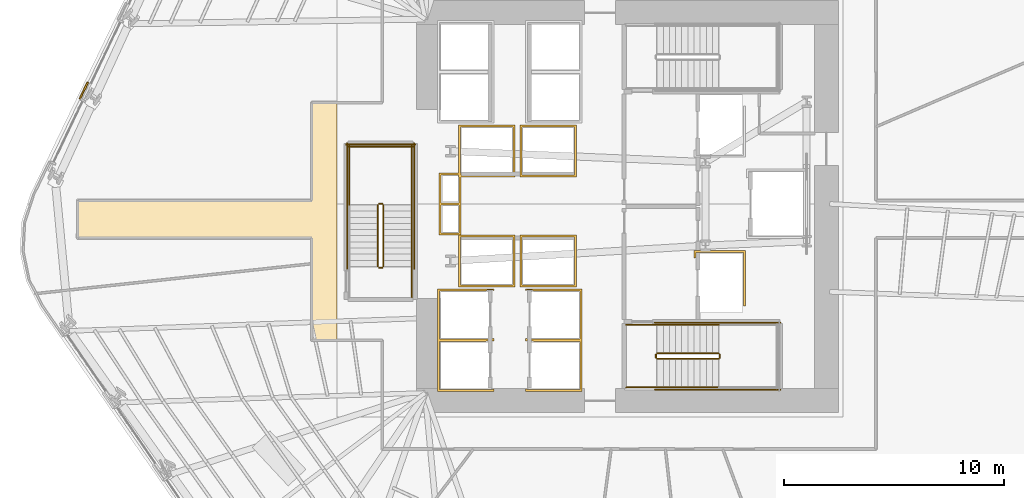
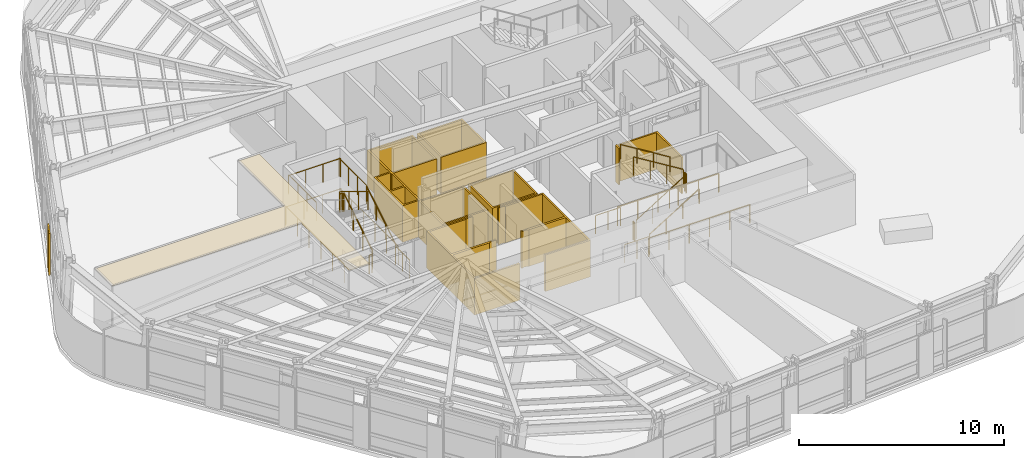
# One storey, part 11 of 15: 22 railings, 9 coverings.
"""IFC4 building model written with IfcOpenShell, lengths in metres."""

from ifc_helpers import new_model, si_unit, direction, frame, origin, origin_2d, place, context, subcontext, project, spatial, polyline, circle, outline, extrude, material, layer, layer_set, type_object, element, save


model = new_model("IFC4")

# Units and contexts
model_context = context("Model", 3, precision=1e-05, world=origin(), true_north=direction((0.0, 1.0)))
body_context = subcontext(model_context, "Body", "Model", "MODEL_VIEW")
ifc_project = project(units=[si_unit("LENGTHUNIT", "METRE"), si_unit("AREAUNIT", "SQUARE_METRE"), si_unit("VOLUMEUNIT", "CUBIC_METRE"), si_unit("PLANEANGLEUNIT", "RADIAN"), si_unit("MASSUNIT", "GRAM", prefix="KILO")], contexts=[model_context])

# Site, building, storey
site_placement = place(None, origin())
site = spatial("IfcSite", under=ifc_project, at=site_placement, CompositionType="ELEMENT")
building_placement = place(site_placement, origin())
building = spatial("IfcBuilding", under=site, at=building_placement, Name="Valkerne Bourse Tower", CompositionType="ELEMENT")
storey_placement = place(building_placement, frame((0.0, 0.0, 43.0)))
storey = spatial("IfcBuildingStorey", under=building, at=storey_placement, Name="L10", CompositionType="ELEMENT", Elevation=43.0)

# Coverings
ifc_material_1 = material(Name="Bronze Anodised Aluminium AA 6063-T6", Category="aluminium")
ifc_layer_1 = layer(ifc_material_1, 0.030029296875)
ifc_layer_set_1 = layer_set([ifc_layer_1], Name="Bronze Anodised Aluminium AA 6063-T6")
covering_type_1 = type_object("IfcCoveringType", Name="COV-CEIL-METAL", PredefinedType="CEILING", material=ifc_layer_set_1)
covering_1_placement = place(storey_placement, frame((0.0, 0.0, 3.22998046875)))
element("IfcCovering", 1, at=covering_1_placement, inside=storey, type_object=covering_type_1, Name="L10 Suspended Ceiling 02", PredefinedType="CEILING", context=body_context, shape_type="SweptSolid", body=[
    extrude(outline(polyline([(32.4541015625, 20.803955078125), (32.4541015625, 25.4541015625), (21.803955078125, 25.4541015625), (21.803955078125, 27.14599609375), (32.4541015625, 27.14599609375), (32.4541015625, 31.595947265625), (33.60009765625, 31.595947265625), (33.60009765625, 20.803955078125), (32.4541015625, 20.803955078125)])), origin(), (0.0, 0.0, 1.0), 0.02490234375),
])
ifc_layer_2 = layer(ifc_material_1, 0.06005859375)
ifc_layer_set_2 = layer_set([ifc_layer_2], Name="Bronze Anodised Aluminium AA 6063-T6")
covering_type_2 = type_object("IfcCoveringType", Name="COV-CRN-ALUM", PredefinedType="CLADDING", material=ifc_layer_set_2)
covering_2_placement = place(storey_placement, origin())
element("IfcCovering", 2, at=covering_2_placement, inside=storey, type_object=covering_type_2, Name="L10 Wind-Shaped Corner Aluminium Cladding 12", PredefinedType="CLADDING", context=body_context, shape_type="SweptSolid", body=[
    extrude(outline(polyline([(22.223388671875, 32.546875), (22.29541015625, 32.512451171875), (21.930419921875, 31.755859375), (21.858154296875, 31.790283203125), (22.223388671875, 32.546875)])), origin(), (0.0, 0.0, 1.0), 2.5),
])
ifc_material_2 = material(Name="Gypsum Shaftwall Liner Board", Category="gypsum")
ifc_layer_3 = layer(ifc_material_2, 0.080078125)
ifc_layer_set_3 = layer_set([ifc_layer_3], Name="Gypsum Shaftwall Liner Board")
covering_type_3 = type_object("IfcCoveringType", Name="COV-SHF-CLAD", PredefinedType="CLADDING", material=ifc_layer_set_3)
covering_3_placement = place(storey_placement, origin())
element("IfcCovering", 3, at=covering_3_placement, inside=storey, type_object=covering_type_3, Name="L10 Hoistway & Riser Shaftwall Liner 01", PredefinedType="CLADDING", context=body_context, shape_type="SweptSolid", body=[
    extrude(outline(polyline([(38.169921875, 23.1298828125), (40.72998046875, 23.1298828125), (40.72998046875, 23.052001953125), (40.72216796875, 23.0556640625), (40.6806640625, 23.070556640625), (40.6376953125, 23.081298828125), (40.593994140625, 23.087890625), (40.550048828125, 23.090087890625), (40.505859375, 23.087890625), (40.462158203125, 23.081298828125), (40.41943359375, 23.070556640625), (40.377685546875, 23.0556640625), (40.344482421875, 23.0400390625), (38.260009765625, 23.0400390625), (38.260009765625, 20.860107421875), (40.456787109375, 20.860107421875), (40.462158203125, 20.858642578125), (40.505859375, 20.852294921875), (40.550048828125, 20.85009765625), (40.593994140625, 20.852294921875), (40.6376953125, 20.858642578125), (40.6806640625, 20.869384765625), (40.72216796875, 20.88427734375), (40.72998046875, 20.887939453125), (40.72998046875, 20.830078125), (40.72998046875, 20.77001953125), (40.72998046875, 20.752197265625), (40.72216796875, 20.755615234375), (40.6806640625, 20.7705078125), (40.6376953125, 20.781494140625), (40.593994140625, 20.787841796875), (40.550048828125, 20.7900390625), (40.505859375, 20.787841796875), (40.462158203125, 20.781494140625), (40.41943359375, 20.7705078125), (40.377685546875, 20.755615234375), (40.344482421875, 20.739990234375), (38.260009765625, 20.739990234375), (38.260009765625, 18.56005859375), (40.456787109375, 18.56005859375), (40.462158203125, 18.55859375), (40.505859375, 18.55224609375), (40.550048828125, 18.550048828125), (40.593994140625, 18.55224609375), (40.6376953125, 18.55859375), (40.6806640625, 18.5693359375), (40.72216796875, 18.584228515625), (40.72998046875, 18.587890625), (40.72998046875, 18.469970703125), (38.169921875, 18.469970703125), (38.169921875, 20.77001953125), (38.169921875, 20.830078125), (38.169921875, 23.1298828125)])), origin(), (0.0, 0.0, 1.0), 2.179931640625),
])
covering_4_placement = place(storey_placement, origin())
element("IfcCovering", 4, at=covering_4_placement, inside=storey, type_object=covering_type_3, Name="L10 Hoistway & Riser Shaftwall Liner 02", PredefinedType="CLADDING", context=body_context, shape_type="SweptSolid", body=[
    extrude(outline(polyline([(41.679931640625, 23.219970703125), (39.1201171875, 23.219970703125), (39.1201171875, 25.580078125), (41.679931640625, 25.580078125), (41.679931640625, 23.219970703125)]), holes=[polyline([(39.2099609375, 25.489990234375), (39.2099609375, 23.31005859375), (41.590087890625, 23.31005859375), (41.590087890625, 25.489990234375), (39.2099609375, 25.489990234375)])]), origin(), (0.0, 0.0, 1.0), 2.179931640625),
])
covering_5_placement = place(storey_placement, origin())
element("IfcCovering", 5, at=covering_5_placement, inside=storey, type_object=covering_type_3, Name="L10 Hoistway & Riser Shaftwall Liner 03", PredefinedType="CLADDING", context=body_context, shape_type="SweptSolid", body=[
    extrude(outline(polyline([(44.47998046875, 23.219970703125), (41.919921875, 23.219970703125), (41.919921875, 25.580078125), (44.47998046875, 25.580078125), (44.47998046875, 23.219970703125)]), holes=[polyline([(42.010009765625, 25.489990234375), (42.010009765625, 23.31005859375), (44.389892578125, 23.31005859375), (44.389892578125, 25.489990234375), (42.010009765625, 25.489990234375)])]), origin(), (0.0, 0.0, 1.0), 2.179931640625),
])
covering_6_placement = place(storey_placement, origin())
element("IfcCovering", 6, at=covering_6_placement, inside=storey, type_object=covering_type_3, Name="L10 Hoistway & Riser Shaftwall Liner 04", PredefinedType="CLADDING", context=body_context, shape_type="SweptSolid", body=[
    extrude(outline(polyline([(38.239990234375, 28.409912109375), (39.1201171875, 28.409912109375), (39.1201171875, 30.580078125), (41.679931640625, 30.580078125), (41.679931640625, 28.219970703125), (39.239990234375, 28.219970703125), (39.239990234375, 27.0400390625), (39.239990234375, 26.9599609375), (39.239990234375, 25.590087890625), (38.239990234375, 25.590087890625), (38.239990234375, 26.9599609375), (38.239990234375, 27.0400390625), (38.239990234375, 28.409912109375)]), holes=[polyline([(39.2099609375, 30.489990234375), (39.2099609375, 28.409912109375), (39.239990234375, 28.409912109375), (39.239990234375, 28.31005859375), (41.590087890625, 28.31005859375), (41.590087890625, 30.489990234375), (39.2099609375, 30.489990234375)]), polyline([(38.330078125, 26.949951171875), (38.330078125, 25.679931640625), (39.14990234375, 25.679931640625), (39.14990234375, 26.949951171875), (38.330078125, 26.949951171875)]), polyline([(39.1201171875, 28.219970703125), (39.1201171875, 28.320068359375), (38.330078125, 28.320068359375), (38.330078125, 27.050048828125), (39.14990234375, 27.050048828125), (39.14990234375, 28.219970703125), (39.1201171875, 28.219970703125)])]), origin(), (0.0, 0.0, 1.0), 2.179931640625),
])
covering_7_placement = place(storey_placement, origin())
element("IfcCovering", 7, at=covering_7_placement, inside=storey, type_object=covering_type_3, Name="L10 Hoistway & Riser Shaftwall Liner 06", PredefinedType="CLADDING", context=body_context, shape_type="SweptSolid", body=[
    extrude(outline(polyline([(42.169921875, 20.830078125), (42.169921875, 20.887939453125), (42.177734375, 20.88427734375), (42.219482421875, 20.869384765625), (42.26220703125, 20.858642578125), (42.305908203125, 20.852294921875), (42.35009765625, 20.85009765625), (42.39404296875, 20.852294921875), (42.437744140625, 20.858642578125), (42.443115234375, 20.860107421875), (44.639892578125, 20.860107421875), (44.639892578125, 23.0400390625), (42.555419921875, 23.0400390625), (42.522216796875, 23.0556640625), (42.480712890625, 23.070556640625), (42.437744140625, 23.081298828125), (42.39404296875, 23.087890625), (42.35009765625, 23.090087890625), (42.305908203125, 23.087890625), (42.26220703125, 23.081298828125), (42.219482421875, 23.070556640625), (42.177734375, 23.0556640625), (42.169921875, 23.052001953125), (42.169921875, 23.1298828125), (44.72998046875, 23.1298828125), (44.72998046875, 20.830078125), (44.72998046875, 20.77001953125), (44.72998046875, 18.469970703125), (42.169921875, 18.469970703125), (42.169921875, 18.587890625), (42.177734375, 18.584228515625), (42.219482421875, 18.5693359375), (42.26220703125, 18.55859375), (42.305908203125, 18.55224609375), (42.35009765625, 18.550048828125), (42.39404296875, 18.55224609375), (42.437744140625, 18.55859375), (42.443115234375, 18.56005859375), (44.639892578125, 18.56005859375), (44.639892578125, 20.739990234375), (42.555419921875, 20.739990234375), (42.522216796875, 20.755615234375), (42.480712890625, 20.7705078125), (42.437744140625, 20.781494140625), (42.39404296875, 20.787841796875), (42.35009765625, 20.7900390625), (42.305908203125, 20.787841796875), (42.26220703125, 20.781494140625), (42.219482421875, 20.7705078125), (42.177734375, 20.755615234375), (42.169921875, 20.752197265625), (42.169921875, 20.77001953125), (42.169921875, 20.830078125)])), origin(), (0.0, 0.0, 1.0), 2.179931640625),
])
covering_8_placement = place(storey_placement, origin())
element("IfcCovering", 8, at=covering_8_placement, inside=storey, type_object=covering_type_3, Name="L10 Hoistway & Riser Shaftwall Liner 07", PredefinedType="CLADDING", context=body_context, shape_type="SweptSolid", body=[
    extrude(outline(polyline([(52.179931640625, 22.35009765625), (52.090087890625, 22.35009765625), (52.090087890625, 24.7900390625), (49.909912109375, 24.7900390625), (49.909912109375, 24.560791015625), (49.869384765625, 24.550537109375), (49.827880859375, 24.53564453125), (49.820068359375, 24.531982421875), (49.820068359375, 24.8798828125), (52.179931640625, 24.8798828125), (52.179931640625, 22.35009765625)])), origin(), (0.0, 0.0, 1.0), 2.179931640625),
])
covering_9_placement = place(storey_placement, origin())
element("IfcCovering", 9, at=covering_9_placement, inside=storey, type_object=covering_type_3, Name="L10 Hoistway & Riser Shaftwall Liner 09", PredefinedType="CLADDING", context=body_context, shape_type="SweptSolid", body=[
    extrude(outline(polyline([(44.47998046875, 28.219970703125), (41.919921875, 28.219970703125), (41.919921875, 30.580078125), (44.47998046875, 30.580078125), (44.47998046875, 28.219970703125)]), holes=[polyline([(42.010009765625, 30.489990234375), (42.010009765625, 28.31005859375), (44.389892578125, 28.31005859375), (44.389892578125, 30.489990234375), (42.010009765625, 30.489990234375)])]), origin(), (0.0, 0.0, 1.0), 2.179931640625),
])

# Railings
ifc_material_3 = material(Name="Galvanised Painted Steel", Category="steel")
railing_type_1 = type_object("IfcRailingType", Name="RLG-ST-GUARD-1120", PredefinedType="GUARDRAIL", material=ifc_material_3)
railing_1_placement = place(storey_placement, frame((48.14990234375, 19.949951171875, 0.172607421875)))
element("IfcRailing", 10, at=railing_1_placement, inside=storey, type_object=railing_type_1, Name="L10 ST-1 stair guard 1", PredefinedType="GUARDRAIL", context=body_context, shape_type="SweptSolid", body=[
    extrude(circle(Radius=0.02392578125, at=origin_2d()), frame((0.0, 0.0, 1.09619140625), z_axis=(0.851089632645, 0.0, 0.525020415988), x_axis=(0.0, 1.0, 0.0)), (0.0, 0.0, 1.0), 3.2900390625),
    extrude(circle(Radius=0.02099609375, at=origin_2d()), origin(), (0.0, 0.0, 1.0), 1.072021484375),
    extrude(circle(Radius=0.02099609375, at=origin_2d()), frame((0.933349609375, 0.0, 0.57568359375)), (0.0, 0.0, 1.0), 1.072021484375),
    extrude(circle(Radius=0.02099609375, at=origin_2d()), frame((1.86669921875, 0.0, 1.151611328125)), (0.0, 0.0, 1.0), 1.072021484375),
    extrude(circle(Radius=0.02099609375, at=origin_2d()), frame((2.800048828125, 0.0, 1.727294921875)), (0.0, 0.0, 1.0), 1.072021484375),
])
railing_2_placement = place(storey_placement, frame((51.0, 20.0, 1.89990234375)))
element("IfcRailing", 11, at=railing_2_placement, inside=storey, type_object=railing_type_1, Name="L10 ST-1 stair guard 2", PredefinedType="GUARDRAIL", context=body_context, shape_type="SweptSolid", body=[
    extrude(circle(Radius=0.02392578125, at=origin_2d()), frame((0.0, 0.0, 1.09619140625), z_axis=(0.0, 1.0, 0.0), x_axis=(-1.0, 0.0, 0.0)), (0.0, 0.0, 1.0), 0.14990234375),
    extrude(circle(Radius=0.02099609375, at=origin_2d()), origin(), (0.0, 0.0, 1.0), 1.072021484375),
    extrude(circle(Radius=0.02099609375, at=origin_2d()), frame((0.0, 0.14990234375, 0.0)), (0.0, 0.0, 1.0), 1.072021484375),
])
railing_3_placement = place(storey_placement, frame((50.949951171875, 20.199951171875, 2.07275390625)))
element("IfcRailing", 12, at=railing_3_placement, inside=storey, type_object=railing_type_1, Name="L10 ST-1 stair guard 6", PredefinedType="GUARDRAIL", context=body_context, shape_type="SweptSolid", body=[
    extrude(circle(Radius=0.02392578125, at=origin_2d()), frame((0.0, 0.0, 1.09619140625), z_axis=(-0.851089632645, 0.0, 0.525020415988), x_axis=(0.0, -1.0, 0.0)), (0.0, 0.0, 1.0), 3.2900390625),
    extrude(circle(Radius=0.02099609375, at=origin_2d()), origin(), (0.0, 0.0, 1.0), 1.072021484375),
    extrude(circle(Radius=0.02099609375, at=origin_2d()), frame((-0.933349609375, 0.0, 0.57568359375)), (0.0, 0.0, 1.0), 1.072021484375),
    extrude(circle(Radius=0.02099609375, at=origin_2d()), frame((-1.86669921875, 0.0, 1.151611328125)), (0.0, 0.0, 1.0), 1.072021484375),
    extrude(circle(Radius=0.02099609375, at=origin_2d()), frame((-2.800048828125, 0.0, 1.727294921875)), (0.0, 0.0, 1.0), 1.072021484375),
])
railing_4_placement = place(storey_placement, frame((48.10009765625, 20.0, 0.0)))
element("IfcRailing", 13, at=railing_4_placement, inside=storey, type_object=railing_type_1, Name="L10 ST-1 stair guard 7", PredefinedType="GUARDRAIL", context=body_context, shape_type="SweptSolid", body=[
    extrude(circle(Radius=0.02392578125, at=origin_2d()), frame((0.0, 0.0, 1.09619140625), z_axis=(0.0, 1.0, 0.0), x_axis=(-1.0, 0.0, 0.0)), (0.0, 0.0, 1.0), 0.14990234375),
    extrude(circle(Radius=0.02099609375, at=origin_2d()), origin(), (0.0, 0.0, 1.0), 1.072021484375),
    extrude(circle(Radius=0.02099609375, at=origin_2d()), frame((0.0, 0.14990234375, 0.0)), (0.0, 0.0, 1.0), 1.072021484375),
])
for number, where, name in (
    (14, (46.75, 18.64990234375, 0.0), "L10 ST-1 stair guard 8"),
    (15, (46.75, 21.5, 0.0), "L10 ST-1 stair guard 9"),
):
    element("IfcRailing", number, at=place(storey_placement, frame(where)), inside=storey, type_object=railing_type_1, Name=name, PredefinedType="GUARDRAIL", context=body_context, shape_type="SweptSolid", body=[
        extrude(circle(Radius=0.02392578125, at=origin_2d()), frame((0.0, 0.0, 1.09619140625), z_axis=(1.0, 0.0, 0.0), x_axis=(0.0, 1.0, 0.0)), (0.0, 0.0, 1.0), 1.39990234375),
        extrude(circle(Radius=0.02099609375, at=origin_2d()), origin(), (0.0, 0.0, 1.0), 1.072021484375),
        extrude(circle(Radius=0.02099609375, at=origin_2d()), frame((0.699951171875, 0.0, 0.0)), (0.0, 0.0, 1.0), 1.072021484375),
        extrude(circle(Radius=0.02099609375, at=origin_2d()), frame((1.39990234375, 0.0, 0.0)), (0.0, 0.0, 1.0), 1.072021484375),
    ])
for number, where, name in (
    (16, (48.050048828125, 18.550048828125, 0.0), "L10 ST-1 stair guard 10"),
    (17, (48.050048828125, 21.60009765625, 0.0), "L10 ST-1 stair guard 11"),
):
    element("IfcRailing", number, at=place(storey_placement, frame(where)), inside=storey, type_object=railing_type_1, Name=name, PredefinedType="GUARDRAIL", context=body_context, shape_type="SweptSolid", body=[
        extrude(circle(Radius=0.02392578125, at=origin_2d()), frame((0.0, 0.0, 1.09619140625), z_axis=(1.0, 0.0, 0.0), x_axis=(0.0, 1.0, 0.0)), (0.0, 0.0, 1.0), 5.699951171875),
        extrude(circle(Radius=0.02099609375, at=origin_2d()), origin(), (0.0, 0.0, 1.0), 1.072021484375),
        extrude(circle(Radius=0.02099609375, at=origin_2d()), frame((1.139892578125, 0.0, 0.0)), (0.0, 0.0, 1.0), 1.072021484375),
        extrude(circle(Radius=0.02099609375, at=origin_2d()), frame((2.280029296875, 0.0, 0.0)), (0.0, 0.0, 1.0), 1.072021484375),
        extrude(circle(Radius=0.02099609375, at=origin_2d()), frame((3.419921875, 0.0, 0.0)), (0.0, 0.0, 1.0), 1.072021484375),
        extrude(circle(Radius=0.02099609375, at=origin_2d()), frame((4.56005859375, 0.0, 0.0)), (0.0, 0.0, 1.0), 1.072021484375),
        extrude(circle(Radius=0.02099609375, at=origin_2d()), frame((5.699951171875, 0.0, 0.0)), (0.0, 0.0, 1.0), 1.072021484375),
    ])
railing_5_placement = place(storey_placement, frame((35.699951171875, 24.14990234375, 0.172607421875)))
element("IfcRailing", 18, at=railing_5_placement, inside=storey, type_object=railing_type_1, Name="L10 ST-3 stair guard 1", PredefinedType="GUARDRAIL", context=body_context, shape_type="SweptSolid", body=[
    extrude(circle(Radius=0.02392578125, at=origin_2d()), frame((0.0, 0.0, 1.09619140625), z_axis=(0.0, 0.851089632645, 0.525020415988), x_axis=(-1.0, 0.0, 0.0)), (0.0, 0.0, 1.0), 3.2900390625),
    extrude(circle(Radius=0.02099609375, at=origin_2d()), origin(), (0.0, 0.0, 1.0), 1.072021484375),
    extrude(circle(Radius=0.02099609375, at=origin_2d()), frame((0.0, 0.933349609375, 0.57568359375)), (0.0, 0.0, 1.0), 1.072021484375),
    extrude(circle(Radius=0.02099609375, at=origin_2d()), frame((0.0, 1.86669921875, 1.151611328125)), (0.0, 0.0, 1.0), 1.072021484375),
    extrude(circle(Radius=0.02099609375, at=origin_2d()), frame((0.0, 2.800048828125, 1.727294921875)), (0.0, 0.0, 1.0), 1.072021484375),
])
railing_6_placement = place(storey_placement, frame((35.64990234375, 27.0, 1.89990234375)))
element("IfcRailing", 19, at=railing_6_placement, inside=storey, type_object=railing_type_1, Name="L10 ST-3 stair guard 2", PredefinedType="GUARDRAIL", context=body_context, shape_type="SweptSolid", body=[
    extrude(circle(Radius=0.02392578125, at=origin_2d()), frame((0.0, 0.0, 1.09619140625), z_axis=(-1.0, 0.0, 0.0), x_axis=(0.0, -1.0, 0.0)), (0.0, 0.0, 1.0), 0.14990234375),
    extrude(circle(Radius=0.02099609375, at=origin_2d()), origin(), (0.0, 0.0, 1.0), 1.072021484375),
    extrude(circle(Radius=0.02099609375, at=origin_2d()), frame((-0.14990234375, 0.0, 0.0)), (0.0, 0.0, 1.0), 1.072021484375),
])
for number, where, name in (
    (20, (37.0, 26.949951171875, 1.89990234375), "L10 ST-3 stair guard 3"),
    (21, (34.14990234375, 26.949951171875, 1.89990234375), "L10 ST-3 stair guard 4"),
):
    element("IfcRailing", number, at=place(storey_placement, frame(where)), inside=storey, type_object=railing_type_1, Name=name, PredefinedType="GUARDRAIL", context=body_context, shape_type="SweptSolid", body=[
        extrude(circle(Radius=0.02392578125, at=origin_2d()), frame((0.0, 0.0, 1.09619140625), z_axis=(0.0, 1.0, 0.0), x_axis=(-1.0, 0.0, 0.0)), (0.0, 0.0, 1.0), 2.699951171875),
        extrude(circle(Radius=0.02099609375, at=origin_2d()), origin(), (0.0, 0.0, 1.0), 1.072021484375),
        extrude(circle(Radius=0.02099609375, at=origin_2d()), frame((0.0, 0.89990234375, 0.0)), (0.0, 0.0, 1.0), 1.072021484375),
        extrude(circle(Radius=0.02099609375, at=origin_2d()), frame((0.0, 1.800048828125, 0.0)), (0.0, 0.0, 1.0), 1.072021484375),
        extrude(circle(Radius=0.02099609375, at=origin_2d()), frame((0.0, 2.699951171875, 0.0)), (0.0, 0.0, 1.0), 1.072021484375),
    ])
railing_7_placement = place(storey_placement, frame((37.050048828125, 29.60009765625, 1.89990234375)))
element("IfcRailing", 22, at=railing_7_placement, inside=storey, type_object=railing_type_1, Name="L10 ST-3 stair guard 5", PredefinedType="GUARDRAIL", context=body_context, shape_type="SweptSolid", body=[
    extrude(circle(Radius=0.02392578125, at=origin_2d()), frame((0.0, 0.0, 1.09619140625), z_axis=(-1.0, 0.0, 0.0), x_axis=(0.0, -1.0, 0.0)), (0.0, 0.0, 1.0), 2.949951171875),
    extrude(circle(Radius=0.02099609375, at=origin_2d()), origin(), (0.0, 0.0, 1.0), 1.072021484375),
    extrude(circle(Radius=0.02099609375, at=origin_2d()), frame((-0.9833984375, 0.0, 0.0)), (0.0, 0.0, 1.0), 1.072021484375),
    extrude(circle(Radius=0.02099609375, at=origin_2d()), frame((-1.966552734375, 0.0, 0.0)), (0.0, 0.0, 1.0), 1.072021484375),
    extrude(circle(Radius=0.02099609375, at=origin_2d()), frame((-2.949951171875, 0.0, 0.0)), (0.0, 0.0, 1.0), 1.072021484375),
])
railing_8_placement = place(storey_placement, frame((35.449951171875, 26.949951171875, 2.07275390625)))
element("IfcRailing", 23, at=railing_8_placement, inside=storey, type_object=railing_type_1, Name="L10 ST-3 stair guard 6", PredefinedType="GUARDRAIL", context=body_context, shape_type="SweptSolid", body=[
    extrude(circle(Radius=0.02392578125, at=origin_2d()), frame((0.0, 0.0, 1.09619140625), z_axis=(0.0, -0.851089632645, 0.525020415988), x_axis=(1.0, 0.0, 0.0)), (0.0, 0.0, 1.0), 3.2900390625),
    extrude(circle(Radius=0.02099609375, at=origin_2d()), origin(), (0.0, 0.0, 1.0), 1.072021484375),
    extrude(circle(Radius=0.02099609375, at=origin_2d()), frame((0.0, -0.933349609375, 0.57568359375)), (0.0, 0.0, 1.0), 1.072021484375),
    extrude(circle(Radius=0.02099609375, at=origin_2d()), frame((0.0, -1.86669921875, 1.151611328125)), (0.0, 0.0, 1.0), 1.072021484375),
    extrude(circle(Radius=0.02099609375, at=origin_2d()), frame((0.0, -2.800048828125, 1.727294921875)), (0.0, 0.0, 1.0), 1.072021484375),
])
railing_9_placement = place(storey_placement, frame((35.64990234375, 24.10009765625, 0.0)))
element("IfcRailing", 24, at=railing_9_placement, inside=storey, type_object=railing_type_1, Name="L10 ST-3 stair guard 7", PredefinedType="GUARDRAIL", context=body_context, shape_type="SweptSolid", body=[
    extrude(circle(Radius=0.02392578125, at=origin_2d()), frame((0.0, 0.0, 1.09619140625), z_axis=(-1.0, 0.0, 0.0), x_axis=(0.0, -1.0, 0.0)), (0.0, 0.0, 1.0), 0.14990234375),
    extrude(circle(Radius=0.02099609375, at=origin_2d()), origin(), (0.0, 0.0, 1.0), 1.072021484375),
    extrude(circle(Radius=0.02099609375, at=origin_2d()), frame((-0.14990234375, 0.0, 0.0)), (0.0, 0.0, 1.0), 1.072021484375),
])
railing_10_placement = place(storey_placement, frame((37.0, 22.75, 0.0)))
element("IfcRailing", 25, at=railing_10_placement, inside=storey, type_object=railing_type_1, Name="L10 ST-3 stair guard 8", PredefinedType="GUARDRAIL", context=body_context, shape_type="SweptSolid", body=[
    extrude(circle(Radius=0.02392578125, at=origin_2d()), frame((0.0, 0.0, 1.09619140625), z_axis=(0.0, 1.0, 0.0), x_axis=(-1.0, 0.0, 0.0)), (0.0, 0.0, 1.0), 1.39990234375),
    extrude(circle(Radius=0.02099609375, at=origin_2d()), origin(), (0.0, 0.0, 1.0), 1.072021484375),
    extrude(circle(Radius=0.02099609375, at=origin_2d()), frame((0.0, 0.699951171875, 0.0)), (0.0, 0.0, 1.0), 1.072021484375),
    extrude(circle(Radius=0.02099609375, at=origin_2d()), frame((0.0, 1.39990234375, 0.0)), (0.0, 0.0, 1.0), 1.072021484375),
])
for number, where, name in (
    (26, (37.10009765625, 24.050048828125, 0.0), "L10 ST-3 stair guard 10"),
    (27, (34.050048828125, 24.050048828125, 0.0), "L10 ST-3 stair guard 11"),
):
    element("IfcRailing", number, at=place(storey_placement, frame(where)), inside=storey, type_object=railing_type_1, Name=name, PredefinedType="GUARDRAIL", context=body_context, shape_type="SweptSolid", body=[
        extrude(circle(Radius=0.02392578125, at=origin_2d()), frame((0.0, 0.0, 1.09619140625), z_axis=(0.0, 1.0, 0.0), x_axis=(-1.0, 0.0, 0.0)), (0.0, 0.0, 1.0), 5.699951171875),
        extrude(circle(Radius=0.02099609375, at=origin_2d()), origin(), (0.0, 0.0, 1.0), 1.072021484375),
        extrude(circle(Radius=0.02099609375, at=origin_2d()), frame((0.0, 1.139892578125, 0.0)), (0.0, 0.0, 1.0), 1.072021484375),
        extrude(circle(Radius=0.02099609375, at=origin_2d()), frame((0.0, 2.280029296875, 0.0)), (0.0, 0.0, 1.0), 1.072021484375),
        extrude(circle(Radius=0.02099609375, at=origin_2d()), frame((0.0, 3.419921875, 0.0)), (0.0, 0.0, 1.0), 1.072021484375),
        extrude(circle(Radius=0.02099609375, at=origin_2d()), frame((0.0, 4.56005859375, 0.0)), (0.0, 0.0, 1.0), 1.072021484375),
        extrude(circle(Radius=0.02099609375, at=origin_2d()), frame((0.0, 5.699951171875, 0.0)), (0.0, 0.0, 1.0), 1.072021484375),
    ])
railing_11_placement = place(storey_placement, frame((37.14990234375, 29.699951171875, 0.0)))
element("IfcRailing", 28, at=railing_11_placement, inside=storey, type_object=railing_type_1, Name="L10 ST-3 stair guard 12", PredefinedType="GUARDRAIL", context=body_context, shape_type="SweptSolid", body=[
    extrude(circle(Radius=0.02392578125, at=origin_2d()), frame((0.0, 0.0, 1.09619140625), z_axis=(-1.0, 0.0, 0.0), x_axis=(0.0, -1.0, 0.0)), (0.0, 0.0, 1.0), 3.14990234375),
    extrude(circle(Radius=0.02099609375, at=origin_2d()), origin(), (0.0, 0.0, 1.0), 1.072021484375),
    extrude(circle(Radius=0.02099609375, at=origin_2d()), frame((-1.050048828125, 0.0, 0.0)), (0.0, 0.0, 1.0), 1.072021484375),
    extrude(circle(Radius=0.02099609375, at=origin_2d()), frame((-2.099853515625, 0.0, 0.0)), (0.0, 0.0, 1.0), 1.072021484375),
    extrude(circle(Radius=0.02099609375, at=origin_2d()), frame((-3.14990234375, 0.0, 0.0)), (0.0, 0.0, 1.0), 1.072021484375),
])
ifc_material_4 = material(Name="Stainless Steel AISI 316", Category="steel")
railing_type_2 = type_object("IfcRailingType", Name="RLG-ST-HANDRAIL-900", PredefinedType="HANDRAIL", material=ifc_material_4)
railing_12_placement = place(storey_placement, frame((48.14990234375, 18.64990234375, 0.345458984375)))
element("IfcRailing", 29, at=railing_12_placement, inside=storey, type_object=railing_type_2, Name="L10 ST-1 stair handrail 1", PredefinedType="HANDRAIL", context=body_context, shape_type="SweptSolid", body=[
    extrude(circle(Radius=0.02392578125, at=origin_2d()), frame((0.0, 0.0, 0.8759765625), z_axis=(0.851089632645, 0.0, 0.525020415988), x_axis=(0.0, 1.0, 0.0)), (0.0, 0.0, 1.0), 3.2900390625),
    extrude(circle(Radius=0.02099609375, at=origin_2d()), origin(), (0.0, 0.0, 1.0), 0.851806640625),
    extrude(circle(Radius=0.02099609375, at=origin_2d()), frame((0.933349609375, 0.0, 0.57568359375)), (0.0, 0.0, 1.0), 0.851806640625),
    extrude(circle(Radius=0.02099609375, at=origin_2d()), frame((1.86669921875, 0.0, 1.151611328125)), (0.0, 0.0, 1.0), 0.851806640625),
    extrude(circle(Radius=0.02099609375, at=origin_2d()), frame((2.800048828125, 0.0, 1.727294921875)), (0.0, 0.0, 1.0), 0.851806640625),
])
railing_13_placement = place(storey_placement, frame((50.949951171875, 21.5, 2.245361328125)))
element("IfcRailing", 30, at=railing_13_placement, inside=storey, type_object=railing_type_2, Name="L10 ST-1 stair handrail 2", PredefinedType="HANDRAIL", context=body_context, shape_type="SweptSolid", body=[
    extrude(circle(Radius=0.02392578125, at=origin_2d()), frame((0.0, 0.0, 0.8759765625), z_axis=(-0.851089632645, 0.0, 0.525020415988), x_axis=(0.0, -1.0, 0.0)), (0.0, 0.0, 1.0), 3.2900390625),
    extrude(circle(Radius=0.02099609375, at=origin_2d()), origin(), (0.0, 0.0, 1.0), 0.851806640625),
    extrude(circle(Radius=0.02099609375, at=origin_2d()), frame((-0.933349609375, 0.0, 0.57568359375)), (0.0, 0.0, 1.0), 0.851806640625),
    extrude(circle(Radius=0.02099609375, at=origin_2d()), frame((-1.86669921875, 0.0, 1.151611328125)), (0.0, 0.0, 1.0), 0.851806640625),
    extrude(circle(Radius=0.02099609375, at=origin_2d()), frame((-2.800048828125, 0.0, 1.727294921875)), (0.0, 0.0, 1.0), 0.851806640625),
])
railing_14_placement = place(storey_placement, frame((37.0, 24.14990234375, 0.345458984375)))
element("IfcRailing", 31, at=railing_14_placement, inside=storey, type_object=railing_type_2, Name="L10 ST-3 stair handrail 1", PredefinedType="HANDRAIL", context=body_context, shape_type="SweptSolid", body=[
    extrude(circle(Radius=0.02392578125, at=origin_2d()), frame((0.0, 0.0, 0.8759765625), z_axis=(0.0, 0.851089632645, 0.525020415988), x_axis=(-1.0, 0.0, 0.0)), (0.0, 0.0, 1.0), 3.2900390625),
    extrude(circle(Radius=0.02099609375, at=origin_2d()), origin(), (0.0, 0.0, 1.0), 0.851806640625),
    extrude(circle(Radius=0.02099609375, at=origin_2d()), frame((0.0, 0.933349609375, 0.57568359375)), (0.0, 0.0, 1.0), 0.851806640625),
    extrude(circle(Radius=0.02099609375, at=origin_2d()), frame((0.0, 1.86669921875, 1.151611328125)), (0.0, 0.0, 1.0), 0.851806640625),
    extrude(circle(Radius=0.02099609375, at=origin_2d()), frame((0.0, 2.800048828125, 1.727294921875)), (0.0, 0.0, 1.0), 0.851806640625),
])

save(model, "model.ifc")
